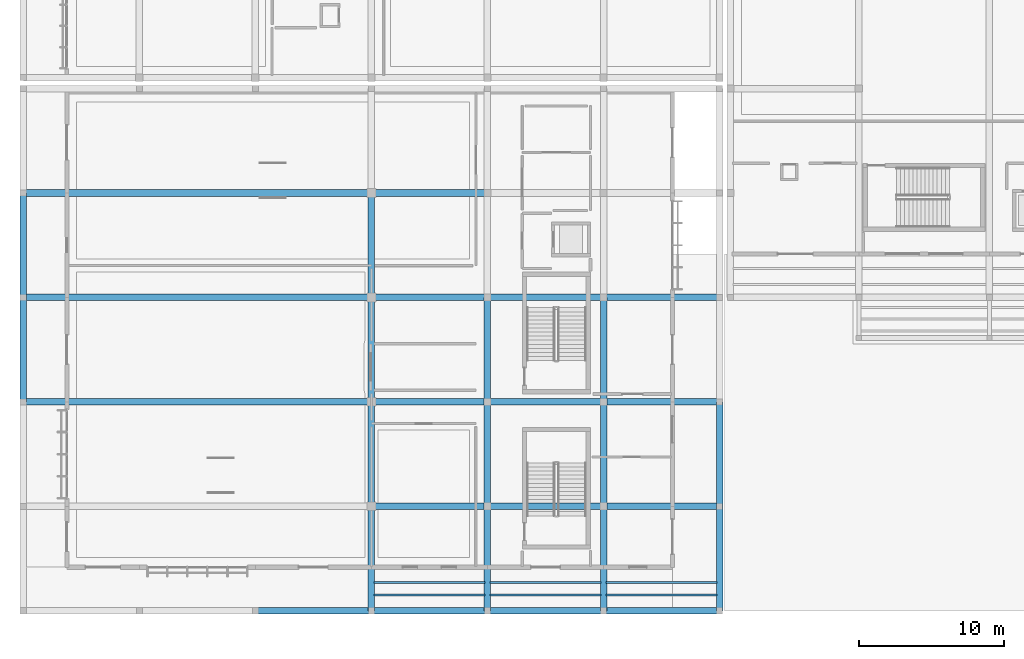
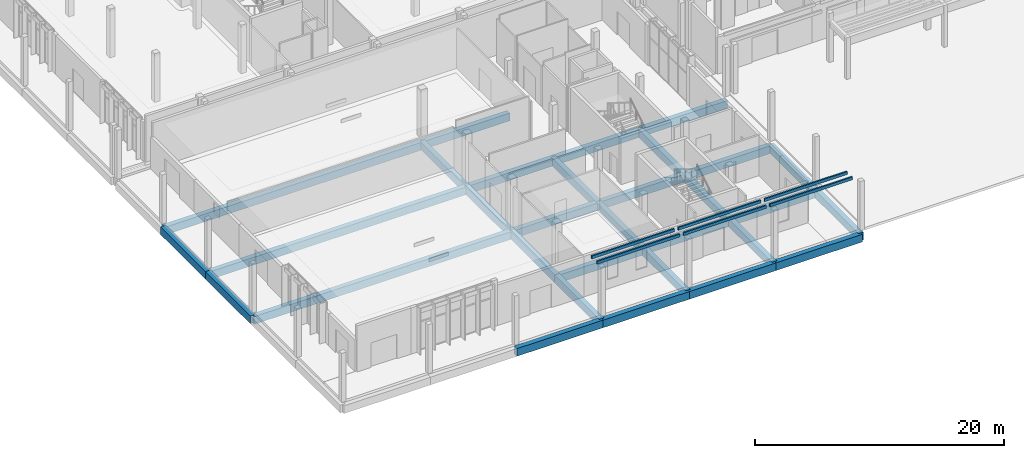
# One storey, part 18 of 151: 31 beams, 6 members.
"""IFC4 building model written with IfcOpenShell, lengths in metres."""

import ifcopenshell
import ifcopenshell.guid

model = None  # the IFC model being written
_history = None  # IfcOwnerHistory: only IFC2X3 demands one
_inside = {}  # id of a spatial element -> (the spatial element, [elements in it])
_under = {}  # id of a project, library or spatial element -> (it, [spatial elements below it])
_declared = {}  # id of a project -> (the project, [libraries it declares])
_typed = {}  # id of a type object -> (the type object, [elements of that type])
_made_of = {}  # id of a material, layer set ... -> (it, [elements and type objects made of it])


def new_model(schema):
    """Start an empty IFC model of exactly this schema.

    Asked for "IFC4X3", IfcOpenShell would pick the latest addendum, in which some entities
    have other attributes; the version numbers below select the first issue.
    IFC2X3 requires an IfcOwnerHistory on every rooted entity: one is made here for all.
    """
    global model, _history
    if schema == "IFC4X3":
        model = ifcopenshell.file(schema_version=(4, 3, 0, 0))
    else:
        model = ifcopenshell.file(schema=schema)
    _inside.clear()
    _under.clear()
    _declared.clear()
    _typed.clear()
    _made_of.clear()
    _history = None
    if model.schema == "IFC2X3":
        org = make("IfcOrganization", Name="unknown")
        user = make(
            "IfcPersonAndOrganization",
            ThePerson=make("IfcPerson", FamilyName="unknown"),
            TheOrganization=org,
        )
        app = make(
            "IfcApplication",
            ApplicationDeveloper=org,
            Version="unknown",
            ApplicationFullName="unknown",
            ApplicationIdentifier="unknown",
        )
        _history = make(
            "IfcOwnerHistory",
            OwningUser=user,
            OwningApplication=app,
            ChangeAction="ADDED",
            CreationDate=0,
        )
    return model


def make(cls, **values):
    """One entity of the class cls with the attributes given. An attribute that is None is left unset."""
    return model.create_entity(
        cls, **{name: value for name, value in values.items() if value is not None}
    )


def rooted(cls, **values):
    """An entity with a GlobalId (a new one), such as an element, a storey or a relation."""
    return make(cls, GlobalId=ifcopenshell.guid.new(), OwnerHistory=_history, **values)


def si_unit(unit_type, name, prefix=None):
    """IfcSIUnit, for example si_unit("LENGTHUNIT", "METRE", prefix="MILLI")."""
    return make("IfcSIUnit", UnitType=unit_type, Prefix=prefix, Name=name)


def assignment(units):
    """IfcUnitAssignment: the units of a project."""
    return None if units is None else make("IfcUnitAssignment", Units=units)


def point(xyz):
    """IfcCartesianPoint."""
    return None if xyz is None else make("IfcCartesianPoint", Coordinates=xyz)


def direction(xyz):
    """IfcDirection."""
    return None if xyz is None else make("IfcDirection", DirectionRatios=xyz)


def frame(location, z_axis=None, x_axis=None):
    """IfcAxis2Placement3D, a coordinate frame: its origin and axes. An axis left out is left unset."""
    return make(
        "IfcAxis2Placement3D",
        Location=point(location),
        Axis=direction(z_axis),
        RefDirection=direction(x_axis),
    )


def frame_2d(location, x_axis=None):
    """IfcAxis2Placement2D, a coordinate frame in the plane: its origin and x axis."""
    return make(
        "IfcAxis2Placement2D", Location=point(location), RefDirection=direction(x_axis)
    )


def origin():
    """The frame at (0, 0, 0) with its axes left unset."""
    return frame((0.0, 0.0, 0.0))


def origin_2d():
    """The frame at (0, 0) in the plane with its x axis left unset."""
    return frame_2d((0.0, 0.0))


def place(relative_to, where):
    """IfcLocalPlacement: puts the frame where relative to a parent placement (None: the world)."""
    return make(
        "IfcLocalPlacement", PlacementRelTo=relative_to, RelativePlacement=where
    )


def context(
    kind, dimensions, precision=None, world=None, true_north=None, identifier=None
):
    """IfcGeometricRepresentationContext, for example the 3D "Model" context."""
    return make(
        "IfcGeometricRepresentationContext",
        ContextIdentifier=identifier,
        ContextType=kind,
        CoordinateSpaceDimension=dimensions,
        Precision=precision,
        WorldCoordinateSystem=world,
        TrueNorth=true_north,
    )


def subcontext(parent, identifier, kind, view, scale=None):
    """IfcGeometricRepresentationSubContext, for example "Body" below "Model"."""
    return make(
        "IfcGeometricRepresentationSubContext",
        ContextIdentifier=identifier,
        ContextType=kind,
        ParentContext=parent,
        TargetScale=scale,
        TargetView=view,
    )


def project(units=None, contexts=None):
    """IfcProject with its units and contexts."""
    return rooted(
        "IfcProject",
        Name="project",
        RepresentationContexts=contexts,
        UnitsInContext=assignment(units),
    )


def spatial(cls, under=None, at=None, **own):
    """A site, building, storey or space (cls), placed at a placement, below another one or the project."""
    s = rooted(cls, ObjectPlacement=at, **own)
    if under is not None:
        _under.setdefault(under.id(), (under, []))[1].append(s)
    return s


def profile(cls, at=None, kind="AREA", **sizes):
    """A parametric profile (cls). Its sizes go by their IFC names, for example OverallWidth=200.0."""
    return make(cls, ProfileType=kind, Position=at, **sizes)


def rectangle(**sizes):
    """IfcRectangleProfileDef."""
    return profile("IfcRectangleProfileDef", **sizes)


def extrude(swept, where, along, depth):
    """IfcExtrudedAreaSolid: the profile swept, set in the frame where, extruded along a direction by depth."""
    return make(
        "IfcExtrudedAreaSolid",
        SweptArea=swept,
        Position=where,
        ExtrudedDirection=direction(along),
        Depth=depth,
    )


def shape(context_of_items, identifier, shape_type, items):
    """IfcShapeRepresentation: the items that make up one representation, for example the "Body"."""
    return make(
        "IfcShapeRepresentation",
        ContextOfItems=context_of_items,
        RepresentationIdentifier=identifier,
        RepresentationType=shape_type,
        Items=items,
    )


def material(Name=None, Category=None):
    """IfcMaterial."""
    return make("IfcMaterial", Name=Name, Category=Category)


def material_profile(
    of_material, cross_section, Name=None, Category=None, Priority=None
):
    """IfcMaterialProfile: a cross section and its material."""
    return make(
        "IfcMaterialProfile",
        Name=Name,
        Material=of_material,
        Profile=cross_section,
        Priority=Priority,
        Category=Category,
    )


def profile_set(profiles, Name=None, composite=None):
    """IfcMaterialProfileSet."""
    return make(
        "IfcMaterialProfileSet",
        Name=Name,
        MaterialProfiles=profiles,
        CompositeProfile=composite,
    )


def made_of(thing, what):
    """Note that an element or type object is made of a material, layer set ...; save() writes the relation."""
    if what is not None:
        _made_of.setdefault(what.id(), (what, []))[1].append(thing)
    return thing


def type_object(cls, material=None, **own):
    """A type object (cls), such as IfcWallType, which elements share."""
    return made_of(rooted(cls, **own), material)


def element(
    cls,
    number,
    at=None,
    inside=None,
    cuts=None,
    type_object=None,
    material=None,
    context=None,
    identifier="Body",
    shape_type=None,
    held_by="IfcProductDefinitionShape",
    body=None,
    shapes=None,
    **own,
):
    """One element of the class cls, such as IfcWall. Its Tag is "e" and its number.

    at: its placement. inside: the storey or other place that contains it. cuts: it is an
    opening in that element (IfcRelVoidsElement). A single representation is given by context,
    identifier, shape_type and body (its items); several are given by shapes. held_by: the class
    of the entity that holds the representations. save() writes the other relations.
    """
    e = rooted(cls, Tag="e%d" % number, ObjectPlacement=at, **own)
    if body is not None:
        shapes = [shape(context, identifier, shape_type, body)]
    if shapes is not None:
        e.Representation = make(held_by, Representations=shapes)
    if inside is not None:
        _inside.setdefault(inside.id(), (inside, []))[1].append(e)
    if cuts is not None:
        rooted(
            "IfcRelVoidsElement", RelatingBuildingElement=cuts, RelatedOpeningElement=e
        )
    if type_object is not None:
        _typed.setdefault(type_object.id(), (type_object, []))[1].append(e)
    return made_of(e, material)


def aggregate(whole, parts):
    """IfcRelAggregates: a whole, such as a stair, and the parts it consists of."""
    return rooted("IfcRelAggregates", RelatingObject=whole, RelatedObjects=parts)


def save(model, path):
    """Write the relations noted so far, then the file.

    IfcRelAggregates (storeys below a building ...), IfcRelContainedInSpatialStructure (elements
    in a storey), IfcRelDefinesByType, IfcRelAssociatesMaterial and IfcRelDeclares: one each for
    every whole, place, type object, material and project.
    """
    for whole, parts in _under.values():
        aggregate(whole, parts)
    for where, things in _inside.values():
        rooted(
            "IfcRelContainedInSpatialStructure",
            RelatedElements=things,
            RelatingStructure=where,
        )
    for kind, things in _typed.values():
        rooted("IfcRelDefinesByType", RelatedObjects=things, RelatingType=kind)
    for what, things in _made_of.values():
        rooted("IfcRelAssociatesMaterial", RelatedObjects=things, RelatingMaterial=what)
    for by, libraries in _declared.values():
        rooted("IfcRelDeclares", RelatingContext=by, RelatedDefinitions=libraries)
    model.write(path)


model = new_model("IFC4")

# Units and contexts
model_context = context("Model", 3, precision=1e-05, world=origin(), true_north=direction((0.0, 1.0)))
body_context = subcontext(model_context, "Body", "Model", "MODEL_VIEW")
ifc_project = project(units=[si_unit("LENGTHUNIT", "METRE"), si_unit("AREAUNIT", "SQUARE_METRE"), si_unit("VOLUMEUNIT", "CUBIC_METRE"), si_unit("PLANEANGLEUNIT", "RADIAN"), si_unit("MASSUNIT", "GRAM", prefix="KILO")], contexts=[model_context])

# Site, building, storey
site_placement = place(None, origin())
site = spatial("IfcSite", under=ifc_project, at=site_placement, CompositionType="ELEMENT")
building_placement = place(site_placement, origin())
building = spatial("IfcBuilding", under=site, at=building_placement, Name="Chiffa Square Polytechnic", CompositionType="ELEMENT")
storey_placement = place(building_placement, origin())
storey = spatial("IfcBuildingStorey", under=building, at=storey_placement, Name="L00", CompositionType="ELEMENT", Elevation=0.0)

# Beams
ifc_material_1 = material(Name="Concrete C35/45", Category="concrete")
ifc_material_profile_1 = material_profile(ifc_material_1, rectangle(XDim=0.449951171875, YDim=0.75, at=origin_2d()), Name="RC 450x750")
ifc_profile_set_1 = profile_set([ifc_material_profile_1], Name="Concrete C35/45")
beam_type = type_object("IfcBeamType", Name="GB-RC-450X750", PredefinedType="BEAM", material=ifc_profile_set_1)
for number, where, z_axis, x_axis, name in (
    (1, (16.0, 0.0, -0.77490234375), (1.0, 0.0, 0.0), (0.0, 1.0, 0.0), "Ground tie beam GB-V3-X-046"),
    (2, (24.0, 0.0, -0.77490234375), (1.0, 0.0, 0.0), (0.0, 1.0, 0.0), "Ground tie beam GB-V3-X-047"),
    (3, (32.0, 0.0, -0.77490234375), (1.0, 0.0, 0.0), (0.0, 1.0, 0.0), "Ground tie beam GB-V3-X-048"),
    (4, (40.0, 0.0, -0.77490234375), (1.0, 0.0, 0.0), (0.0, 1.0, 0.0), "Ground tie beam GB-V3-X-049"),
    (5, (24.0, 7.199951171875, -0.77490234375), (1.0, 0.0, 0.0), (0.0, 1.0, 0.0), "Ground tie beam GB-V3-X-051"),
    (6, (32.0, 7.199951171875, -0.77490234375), (1.0, 0.0, 0.0), (0.0, 1.0, 0.0), "Ground tie beam GB-V3-X-052"),
    (7, (40.0, 7.199951171875, -0.77490234375), (1.0, 0.0, 0.0), (0.0, 1.0, 0.0), "Ground tie beam GB-V3-X-053"),
):
    element("IfcBeam", number, at=place(storey_placement, frame(where, z_axis=z_axis, x_axis=x_axis)), inside=storey, type_object=beam_type, Name=name, PredefinedType="BEAM", context=body_context, shape_type="SweptSolid", body=[
        extrude(rectangle(XDim=0.449951171875, YDim=0.75, at=origin_2d()), origin(), (0.0, 0.0, 1.0), 8.0),
    ])
beam_1_placement = place(storey_placement, frame((0.0, 14.39990234375, -0.77490234375), z_axis=(1.0, 0.0, 0.0), x_axis=(0.0, 1.0, 0.0)))
element("IfcBeam", 8, at=beam_1_placement, inside=storey, type_object=beam_type, Name="Ground tie beam GB-V3-X-054", PredefinedType="BEAM", context=body_context, shape_type="SweptSolid", body=[
    extrude(rectangle(XDim=0.449951171875, YDim=0.75, at=origin_2d()), origin(), (0.0, 0.0, 1.0), 24.0),
])
for number, where, z_axis, x_axis, name in (
    (9, (24.0, 14.39990234375, -0.77490234375), (1.0, 0.0, 0.0), (0.0, 1.0, 0.0), "Ground tie beam GB-V3-X-055"),
    (10, (32.0, 14.39990234375, -0.77490234375), (1.0, 0.0, 0.0), (0.0, 1.0, 0.0), "Ground tie beam GB-V3-X-056"),
    (11, (40.0, 14.39990234375, -0.77490234375), (1.0, 0.0, 0.0), (0.0, 1.0, 0.0), "Ground tie beam GB-V3-X-057"),
):
    element("IfcBeam", number, at=place(storey_placement, frame(where, z_axis=z_axis, x_axis=x_axis)), inside=storey, type_object=beam_type, Name=name, PredefinedType="BEAM", context=body_context, shape_type="SweptSolid", body=[
        extrude(rectangle(XDim=0.449951171875, YDim=0.75, at=origin_2d()), origin(), (0.0, 0.0, 1.0), 8.0),
    ])
beam_2_placement = place(storey_placement, frame((0.0, 21.60009765625, -0.77490234375), z_axis=(1.0, 0.0, 0.0), x_axis=(0.0, 1.0, 0.0)))
element("IfcBeam", 12, at=beam_2_placement, inside=storey, type_object=beam_type, Name="Ground tie beam GB-V3-X-058", PredefinedType="BEAM", context=body_context, shape_type="SweptSolid", body=[
    extrude(rectangle(XDim=0.449951171875, YDim=0.75, at=origin_2d()), origin(), (0.0, 0.0, 1.0), 24.0),
])
for number, where, z_axis, x_axis, name in (
    (13, (24.0, 21.60009765625, -0.77490234375), (1.0, 0.0, 0.0), (0.0, 1.0, 0.0), "Ground tie beam GB-V3-X-059"),
    (14, (32.0, 21.60009765625, -0.77490234375), (1.0, 0.0, 0.0), (0.0, 1.0, 0.0), "Ground tie beam GB-V3-X-060"),
    (15, (40.0, 21.60009765625, -0.77490234375), (1.0, 0.0, 0.0), (0.0, 1.0, 0.0), "Ground tie beam GB-V3-X-061"),
):
    element("IfcBeam", number, at=place(storey_placement, frame(where, z_axis=z_axis, x_axis=x_axis)), inside=storey, type_object=beam_type, Name=name, PredefinedType="BEAM", context=body_context, shape_type="SweptSolid", body=[
        extrude(rectangle(XDim=0.449951171875, YDim=0.75, at=origin_2d()), origin(), (0.0, 0.0, 1.0), 8.0),
    ])
beam_3_placement = place(storey_placement, frame((0.0, 28.800048828125, -0.77490234375), z_axis=(1.0, 0.0, 0.0), x_axis=(0.0, 1.0, 0.0)))
element("IfcBeam", 16, at=beam_3_placement, inside=storey, type_object=beam_type, Name="Ground tie beam GB-V3-X-062", PredefinedType="BEAM", context=body_context, shape_type="SweptSolid", body=[
    extrude(rectangle(XDim=0.449951171875, YDim=0.75, at=origin_2d()), origin(), (0.0, 0.0, 1.0), 24.0),
])
beam_4_placement = place(storey_placement, frame((24.0, 28.800048828125, -0.77490234375), z_axis=(1.0, 0.0, 0.0), x_axis=(0.0, 1.0, 0.0)))
element("IfcBeam", 17, at=beam_4_placement, inside=storey, type_object=beam_type, Name="Ground tie beam GB-V3-X-063", PredefinedType="BEAM", context=body_context, shape_type="SweptSolid", body=[
    extrude(rectangle(XDim=0.449951171875, YDim=0.75, at=origin_2d()), origin(), (0.0, 0.0, 1.0), 8.0),
])
beam_5_placement = place(storey_placement, frame((0.0, 14.39990234375, -0.77490234375), z_axis=(0.0, 1.0, 0.0), x_axis=(-1.0, 0.0, 0.0)))
element("IfcBeam", 18, at=beam_5_placement, inside=storey, type_object=beam_type, Name="Ground tie beam GB-V3-Y-074", PredefinedType="BEAM", context=body_context, shape_type="SweptSolid", body=[
    extrude(rectangle(XDim=0.449951171875, YDim=0.75, at=origin_2d()), origin(), (0.0, 0.0, 1.0), 7.2001953125),
])
for number, where, z_axis, x_axis, name in (
    (19, (0.0, 21.60009765625, -0.77490234375), (0.0, 1.0, 0.0), (-1.0, 0.0, 0.0), "Ground tie beam GB-V3-Y-075"),
    (20, (24.0, 0.0, -0.77490234375), (0.0, 1.0, 0.0), (-1.0, 0.0, 0.0), "Ground tie beam GB-V3-Y-077"),
    (21, (24.0, 7.199951171875, -0.77490234375), (0.0, 1.0, 0.0), (-1.0, 0.0, 0.0), "Ground tie beam GB-V3-Y-078"),
):
    element("IfcBeam", number, at=place(storey_placement, frame(where, z_axis=z_axis, x_axis=x_axis)), inside=storey, type_object=beam_type, Name=name, PredefinedType="BEAM", context=body_context, shape_type="SweptSolid", body=[
        extrude(rectangle(XDim=0.449951171875, YDim=0.75, at=origin_2d()), origin(), (0.0, 0.0, 1.0), 7.199951171875),
    ])
beam_6_placement = place(storey_placement, frame((24.0, 14.39990234375, -0.77490234375), z_axis=(0.0, 1.0, 0.0), x_axis=(-1.0, 0.0, 0.0)))
element("IfcBeam", 22, at=beam_6_placement, inside=storey, type_object=beam_type, Name="Ground tie beam GB-V3-Y-079", PredefinedType="BEAM", context=body_context, shape_type="SweptSolid", body=[
    extrude(rectangle(XDim=0.449951171875, YDim=0.75, at=origin_2d()), origin(), (0.0, 0.0, 1.0), 7.2001953125),
])
for number, where, z_axis, x_axis, name in (
    (23, (24.0, 21.60009765625, -0.77490234375), (0.0, 1.0, 0.0), (-1.0, 0.0, 0.0), "Ground tie beam GB-V3-Y-080"),
    (24, (32.0, 0.0, -0.77490234375), (0.0, 1.0, 0.0), (-1.0, 0.0, 0.0), "Ground tie beam GB-V3-Y-082"),
    (25, (32.0, 7.199951171875, -0.77490234375), (0.0, 1.0, 0.0), (-1.0, 0.0, 0.0), "Ground tie beam GB-V3-Y-083"),
):
    element("IfcBeam", number, at=place(storey_placement, frame(where, z_axis=z_axis, x_axis=x_axis)), inside=storey, type_object=beam_type, Name=name, PredefinedType="BEAM", context=body_context, shape_type="SweptSolid", body=[
        extrude(rectangle(XDim=0.449951171875, YDim=0.75, at=origin_2d()), origin(), (0.0, 0.0, 1.0), 7.199951171875),
    ])
beam_7_placement = place(storey_placement, frame((32.0, 14.39990234375, -0.77490234375), z_axis=(0.0, 1.0, 0.0), x_axis=(-1.0, 0.0, 0.0)))
element("IfcBeam", 26, at=beam_7_placement, inside=storey, type_object=beam_type, Name="Ground tie beam GB-V3-Y-084", PredefinedType="BEAM", context=body_context, shape_type="SweptSolid", body=[
    extrude(rectangle(XDim=0.449951171875, YDim=0.75, at=origin_2d()), origin(), (0.0, 0.0, 1.0), 7.2001953125),
])
for number, where, z_axis, x_axis, name in (
    (27, (40.0, 0.0, -0.77490234375), (0.0, 1.0, 0.0), (-1.0, 0.0, 0.0), "Ground tie beam GB-V3-Y-087"),
    (28, (40.0, 7.199951171875, -0.77490234375), (0.0, 1.0, 0.0), (-1.0, 0.0, 0.0), "Ground tie beam GB-V3-Y-088"),
):
    element("IfcBeam", number, at=place(storey_placement, frame(where, z_axis=z_axis, x_axis=x_axis)), inside=storey, type_object=beam_type, Name=name, PredefinedType="BEAM", context=body_context, shape_type="SweptSolid", body=[
        extrude(rectangle(XDim=0.449951171875, YDim=0.75, at=origin_2d()), origin(), (0.0, 0.0, 1.0), 7.199951171875),
    ])
beam_8_placement = place(storey_placement, frame((40.0, 14.39990234375, -0.77490234375), z_axis=(0.0, 1.0, 0.0), x_axis=(-1.0, 0.0, 0.0)))
element("IfcBeam", 29, at=beam_8_placement, inside=storey, type_object=beam_type, Name="Ground tie beam GB-V3-Y-089", PredefinedType="BEAM", context=body_context, shape_type="SweptSolid", body=[
    extrude(rectangle(XDim=0.449951171875, YDim=0.75, at=origin_2d()), origin(), (0.0, 0.0, 1.0), 7.2001953125),
])
for number, where, z_axis, x_axis, name in (
    (30, (48.0, 0.0, -0.77490234375), (0.0, 1.0, 0.0), (-1.0, 0.0, 0.0), "Ground tie beam GB-V3-Y-092"),
    (31, (48.0, 7.199951171875, -0.77490234375), (0.0, 1.0, 0.0), (-1.0, 0.0, 0.0), "Ground tie beam GB-V3-Y-093"),
):
    element("IfcBeam", number, at=place(storey_placement, frame(where, z_axis=z_axis, x_axis=x_axis)), inside=storey, type_object=beam_type, Name=name, PredefinedType="BEAM", context=body_context, shape_type="SweptSolid", body=[
        extrude(rectangle(XDim=0.449951171875, YDim=0.75, at=origin_2d()), origin(), (0.0, 0.0, 1.0), 7.199951171875),
    ])

# Members
ifc_material_2 = material(Name="Glulam GL28h", Category="wood")
ifc_material_profile_2 = material_profile(ifc_material_2, rectangle(XDim=0.139892578125, YDim=0.280029296875, at=origin_2d()), Name="GL28h 140x280")
ifc_profile_set_2 = profile_set([ifc_material_profile_2], Name="Glulam GL28h")
member_type = type_object("IfcMemberType", Name="MEM-RFT-GL140", PredefinedType="RAFTER", material=ifc_profile_set_2)
for number, where, z_axis, x_axis, name in (
    (32, (24.173095703125, 1.10009765625, 4.382080078125), (1.0, 0.0, 0.0), (0.0, 1.0, 0.0), "Chiffa Square colonnade purlin rafter RF-COL-S-001"),
    (33, (24.173095703125, 1.949951171875, 4.382080078125), (1.0, 0.0, 0.0), (0.0, 1.0, 0.0), "Chiffa Square colonnade purlin rafter RF-COL-S-002"),
    (34, (32.173095703125, 1.10009765625, 4.382080078125), (1.0, 0.0, 0.0), (0.0, 1.0, 0.0), "Chiffa Square colonnade purlin rafter RF-COL-S-003"),
    (35, (32.173095703125, 1.949951171875, 4.382080078125), (1.0, 0.0, 0.0), (0.0, 1.0, 0.0), "Chiffa Square colonnade purlin rafter RF-COL-S-004"),
    (36, (40.173095703125, 1.10009765625, 4.382080078125), (1.0, 0.0, 0.0), (0.0, 1.0, 0.0), "Chiffa Square colonnade purlin rafter RF-COL-S-005"),
    (37, (40.173095703125, 1.949951171875, 4.382080078125), (1.0, 0.0, 0.0), (0.0, 1.0, 0.0), "Chiffa Square colonnade purlin rafter RF-COL-S-006"),
):
    element("IfcMember", number, at=place(storey_placement, frame(where, z_axis=z_axis, x_axis=x_axis)), inside=storey, type_object=member_type, Name=name, PredefinedType="RAFTER", context=body_context, shape_type="SweptSolid", body=[
        extrude(rectangle(XDim=0.139892578125, YDim=0.280029296875, at=origin_2d()), origin(), (0.0, 0.0, 1.0), 7.65380859375),
    ])

save(model, "model.ifc")
